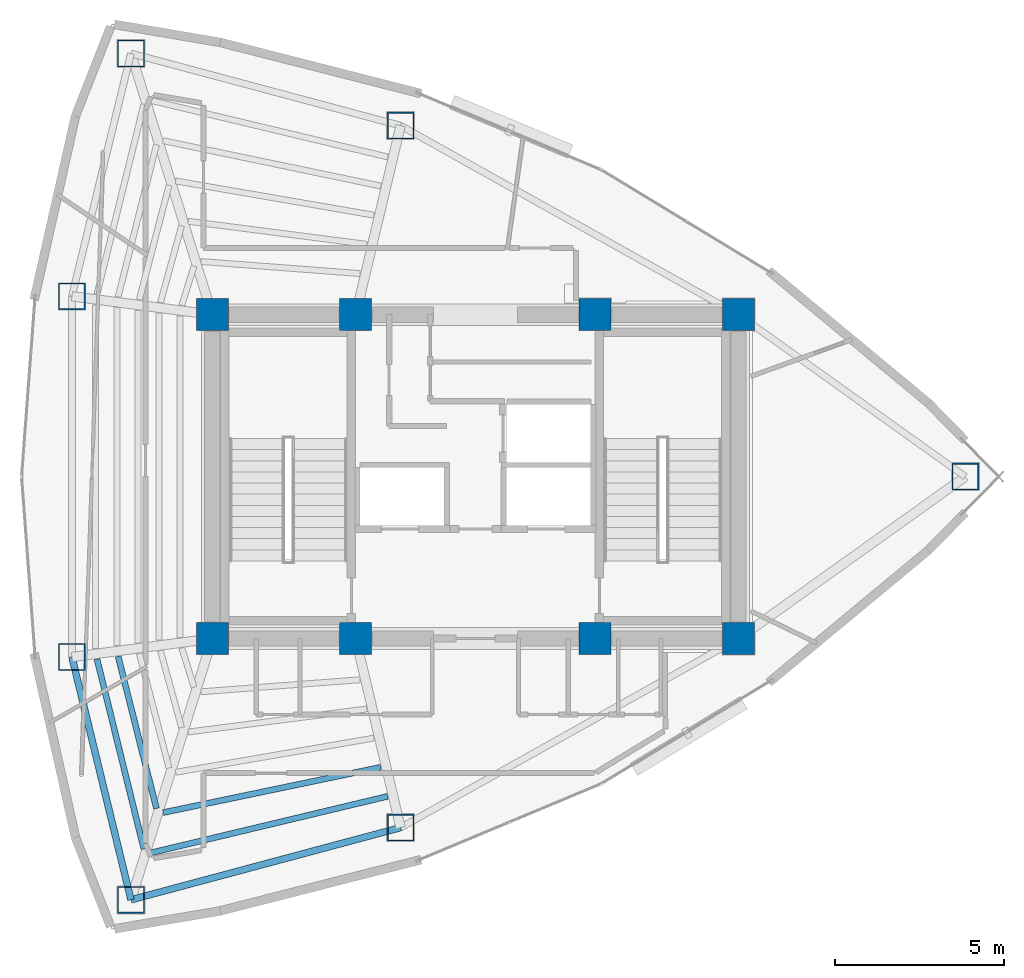
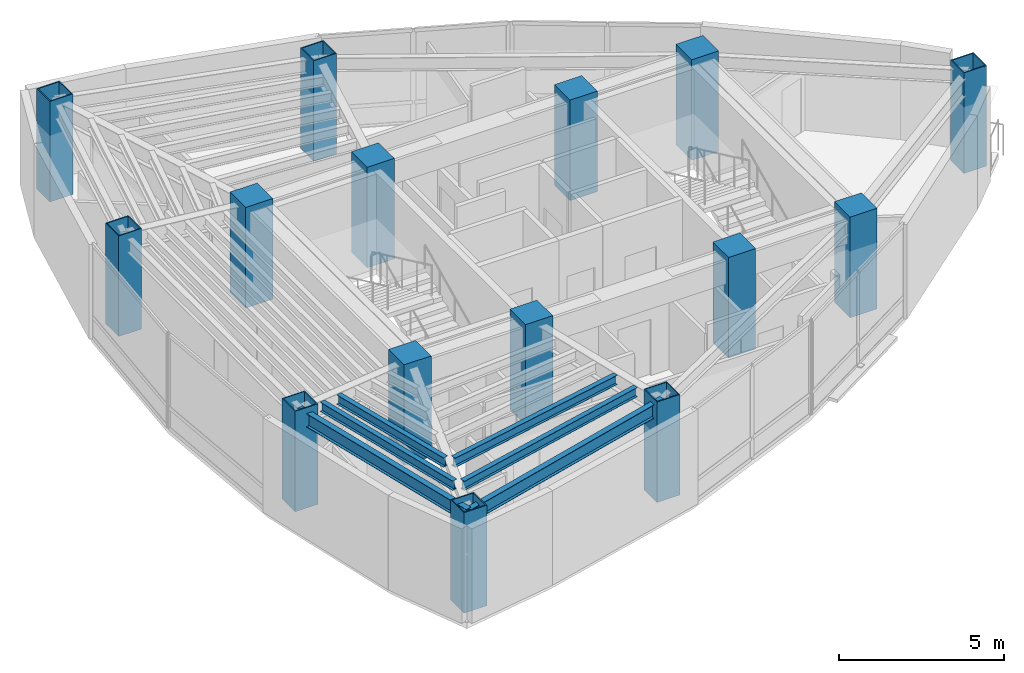
# One storey, part 1 of 16: 15 columns, 6 beams.
"""IFC4 building model written with IfcOpenShell, lengths in metres."""

from ifc_helpers import new_model, si_unit, direction, frame, origin, origin_2d, place, context, subcontext, project, spatial, rectangle, hollow_rectangle, i_section, extrude, material, material_profile, profile_set, type_object, element, save


model = new_model("IFC4")

# Units and contexts
model_context = context("Model", 3, precision=1e-05, world=origin(), true_north=direction((0.0, 1.0)))
body_context = subcontext(model_context, "Body", "Model", "MODEL_VIEW")
ifc_project = project(units=[si_unit("LENGTHUNIT", "METRE"), si_unit("AREAUNIT", "SQUARE_METRE"), si_unit("VOLUMEUNIT", "CUBIC_METRE"), si_unit("PLANEANGLEUNIT", "RADIAN"), si_unit("MASSUNIT", "GRAM", prefix="KILO")], contexts=[model_context])

# Site, building, storey
site_placement = place(None, origin())
site = spatial("IfcSite", under=ifc_project, at=site_placement, CompositionType="ELEMENT")
building_placement = place(site_placement, origin())
building = spatial("IfcBuilding", under=site, at=building_placement, Name="Menara Vayukalpa", CompositionType="ELEMENT")
storey_placement = place(building_placement, frame((0.0, 0.0, 280.6201171875)))
storey = spatial("IfcBuildingStorey", under=building, at=storey_placement, Name="L71", CompositionType="ELEMENT", Elevation=280.6201171875)

# Columns
ifc_material_1 = material(Name="Concrete C60/75", Category="concrete")
ifc_material_profile_1 = material_profile(ifc_material_1, rectangle(XDim=0.949951171875, YDim=0.949951171875, at=origin_2d()), Name="RC 950x950")
ifc_profile_set_1 = profile_set([ifc_material_profile_1], Name="Concrete C60/75")
column_type_1 = type_object("IfcColumnType", Name="COL-CC2", PredefinedType="COLUMN", material=ifc_profile_set_1)
for number, where, z_axis, x_axis, name in (
    (1, (17.800048828125, 17.199951171875, 0.0), (0.0, 0.0, 1.0), (1.0, 0.0, 0.0), "L71 Core Pilaster Column CC1"),
    (2, (22.050048828125, 17.199951171875, 0.0), (0.0, 0.0, 1.0), (1.0, 0.0, 0.0), "L71 Core Pilaster Column CC2"),
    (3, (29.14990234375, 17.199951171875, 0.0), (0.0, 0.0, 1.0), (1.0, 0.0, 0.0), "L71 Core Pilaster Column CC3"),
    (4, (33.39990234375, 17.199951171875, 0.0), (0.0, 0.0, 1.0), (1.0, 0.0, 0.0), "L71 Core Pilaster Column CC4"),
    (5, (17.800048828125, 26.800048828125, 0.0), (0.0, 0.0, 1.0), (1.0, 0.0, 0.0), "L71 Core Pilaster Column CC5"),
    (6, (22.050048828125, 26.800048828125, 0.0), (0.0, 0.0, 1.0), (1.0, 0.0, 0.0), "L71 Core Pilaster Column CC6"),
    (7, (29.14990234375, 26.800048828125, 0.0), (0.0, 0.0, 1.0), (1.0, 0.0, 0.0), "L71 Core Pilaster Column CC7"),
    (8, (33.39990234375, 26.800048828125, 0.0), (0.0, 0.0, 1.0), (1.0, 0.0, 0.0), "L71 Core Pilaster Column CC8"),
):
    element("IfcColumn", number, at=place(storey_placement, frame(where, z_axis=z_axis, x_axis=x_axis)), inside=storey, type_object=column_type_1, Name=name, PredefinedType="COLUMN", context=body_context, shape_type="SweptSolid", body=[
        extrude(rectangle(XDim=0.949951171875, YDim=0.949951171875, at=origin_2d()), origin(), (0.0, 0.0, 1.0), 3.719970703125),
    ])
ifc_material_2 = material(Name="Steel S355", Category="steel")
ifc_material_profile_2 = material_profile(ifc_material_2, hollow_rectangle(XDim=0.800048828125, YDim=0.800048828125, WallThickness=0.034912109375, at=origin_2d()), Name="BOX 800x800x35")
ifc_profile_set_2 = profile_set([ifc_material_profile_2], Name="Steel S355")
column_type_2 = type_object("IfcColumnType", Name="COL-MC5", PredefinedType="COLUMN", material=ifc_profile_set_2)
for number, where, z_axis, x_axis, name in (
    (9, (40.121826171875, 22.0, 0.0), (0.0, 0.0, 1.0), (1.0, 0.0, 0.0), "L71 Perimeter Mega Column P01"),
    (10, (23.3818359375, 32.40478515625, 0.0), (0.0, 0.0, 1.0), (1.0, 0.0, 0.0), "L71 Perimeter Mega Column P03"),
    (11, (15.38916015625, 34.544677734375, 0.0), (0.0, 0.0, 1.0), (1.0, 0.0, 0.0), "L71 Perimeter Mega Column P04"),
    (12, (13.638916015625, 27.3466796875, 0.0), (0.0, 0.0, 1.0), (1.0, 0.0, 0.0), "L71 Perimeter Mega Column P05"),
    (13, (13.638916015625, 16.6533203125, 0.0), (0.0, 0.0, 1.0), (1.0, 0.0, 0.0), "L71 Perimeter Mega Column P06"),
    (14, (15.38916015625, 9.455322265625, 0.0), (0.0, 0.0, 1.0), (1.0, 0.0, 0.0), "L71 Perimeter Mega Column P07"),
    (15, (23.3818359375, 11.59521484375, 0.0), (0.0, 0.0, 1.0), (1.0, 0.0, 0.0), "L71 Perimeter Mega Column P08"),
):
    element("IfcColumn", number, at=place(storey_placement, frame(where, z_axis=z_axis, x_axis=x_axis)), inside=storey, type_object=column_type_2, Name=name, PredefinedType="COLUMN", context=body_context, shape_type="SweptSolid", body=[
        extrude(hollow_rectangle(XDim=0.800048828125, YDim=0.800048828125, WallThickness=0.034912109375, at=origin_2d()), origin(), (0.0, 0.0, 1.0), 3.719970703125),
    ])

# Beams
ifc_material_3 = material(Name="Steel S355", Category="steel")
ifc_material_profile_3 = material_profile(ifc_material_3, i_section(OverallWidth=0.175048828125, OverallDepth=0.35009765625, WebThickness=0.007080078125, FlangeThickness=0.010986328125, at=origin_2d()), Name="WF 350x175x7x11")
ifc_profile_set_3 = profile_set([ifc_material_profile_3], Name="Steel S355")
beam_type_1 = type_object("IfcBeamType", Name="BM-SJ3", PredefinedType="JOIST", material=ifc_profile_set_3)
beam_1_placement = place(storey_placement, frame((15.008544921875, 16.6728515625, 3.324951171875), z_axis=(0.244239657645, -0.969714901212, 0.0), x_axis=(0.969714901212, 0.244239657645, 0.0)))
element("IfcBeam", 16, at=beam_1_placement, inside=storey, type_object=beam_type_1, Name="L71 Secondary Floor Joist SJ06-4", PredefinedType="JOIST", context=body_context, shape_type="SweptSolid", body=[
    extrude(i_section(OverallWidth=0.175048828125, OverallDepth=0.35009765625, WebThickness=0.007080078125, FlangeThickness=0.010986328125, at=origin_2d()), origin(), (0.0, 0.0, 1.0), 4.651123046875),
])
beam_2_placement = place(storey_placement, frame((14.381591796875, 16.590576171875, 3.324951171875), z_axis=(0.239690910211, -0.970849250688, 0.0), x_axis=(0.970849250688, 0.239690910211, 0.0)))
element("IfcBeam", 17, at=beam_2_placement, inside=storey, type_object=beam_type_1, Name="L71 Secondary Floor Joist SJ06-5", PredefinedType="JOIST", context=body_context, shape_type="SweptSolid", body=[
    extrude(i_section(OverallWidth=0.175048828125, OverallDepth=0.35009765625, WebThickness=0.007080078125, FlangeThickness=0.010986328125, at=origin_2d()), origin(), (0.0, 0.0, 1.0), 5.797607421875),
])
beam_3_placement = place(storey_placement, frame((16.340087890625, 12.0400390625, 3.324951171875), z_axis=(0.978940645958, 0.204145075108, 0.0), x_axis=(-0.204145075108, 0.978940645958, 0.0)))
element("IfcBeam", 18, at=beam_3_placement, inside=storey, type_object=beam_type_1, Name="L71 Secondary Floor Joist SJ07-4", PredefinedType="JOIST", context=body_context, shape_type="SweptSolid", body=[
    extrude(i_section(OverallWidth=0.175048828125, OverallDepth=0.35009765625, WebThickness=0.007080078125, FlangeThickness=0.010986328125, at=origin_2d()), origin(), (0.0, 0.0, 1.0), 6.5908203125),
])
beam_4_placement = place(storey_placement, frame((15.96533203125, 10.843505859375, 3.324951171875), z_axis=(0.972633830791, 0.232343347656, 0.0), x_axis=(-0.232343347656, 0.972633830791, 0.0)))
element("IfcBeam", 19, at=beam_4_placement, inside=storey, type_object=beam_type_1, Name="L71 Secondary Floor Joist SJ07-5", PredefinedType="JOIST", context=body_context, shape_type="SweptSolid", body=[
    extrude(i_section(OverallWidth=0.175048828125, OverallDepth=0.35009765625, WebThickness=0.007080078125, FlangeThickness=0.010986328125, at=origin_2d()), origin(), (0.0, 0.0, 1.0), 7.229248046875),
])
ifc_material_4 = material(Name="Steel S355", Category="steel")
ifc_material_profile_4 = material_profile(ifc_material_4, i_section(OverallWidth=0.199951171875, OverallDepth=0.5, WebThickness=0.010009765625, FlangeThickness=0.01611328125, at=origin_2d()), Name="WF 500x200x10x16")
ifc_profile_set_4 = profile_set([ifc_material_profile_4], Name="Steel S355")
beam_type_2 = type_object("IfcBeamType", Name="BM-SP3", PredefinedType="SPANDREL", material=ifc_profile_set_4)
beam_5_placement = place(storey_placement, frame((13.638916015625, 16.6533203125, 3.25), z_axis=(0.236272525754, -0.97168682896, 0.0), x_axis=(0.97168682896, 0.236272525754, 0.0)))
element("IfcBeam", 20, at=beam_5_placement, inside=storey, type_object=beam_type_2, Name="L71 Perimeter Spandrel Beam SP06", PredefinedType="SPANDREL", context=body_context, shape_type="SweptSolid", body=[
    extrude(i_section(OverallWidth=0.199951171875, OverallDepth=0.5, WebThickness=0.010009765625, FlangeThickness=0.01611328125, at=origin_2d()), origin(), (0.0, 0.0, 1.0), 7.40771484375),
])
beam_6_placement = place(storey_placement, frame((15.38916015625, 9.455322265625, 3.25), z_axis=(0.965978332552, 0.258623009494, 0.0), x_axis=(-0.258623009494, 0.965978332552, 0.0)))
element("IfcBeam", 21, at=beam_6_placement, inside=storey, type_object=beam_type_2, Name="L71 Perimeter Spandrel Beam SP07", PredefinedType="SPANDREL", context=body_context, shape_type="SweptSolid", body=[
    extrude(i_section(OverallWidth=0.199951171875, OverallDepth=0.5, WebThickness=0.010009765625, FlangeThickness=0.01611328125, at=origin_2d()), origin(), (0.0, 0.0, 1.0), 8.274169921875),
])

save(model, "model.ifc")
